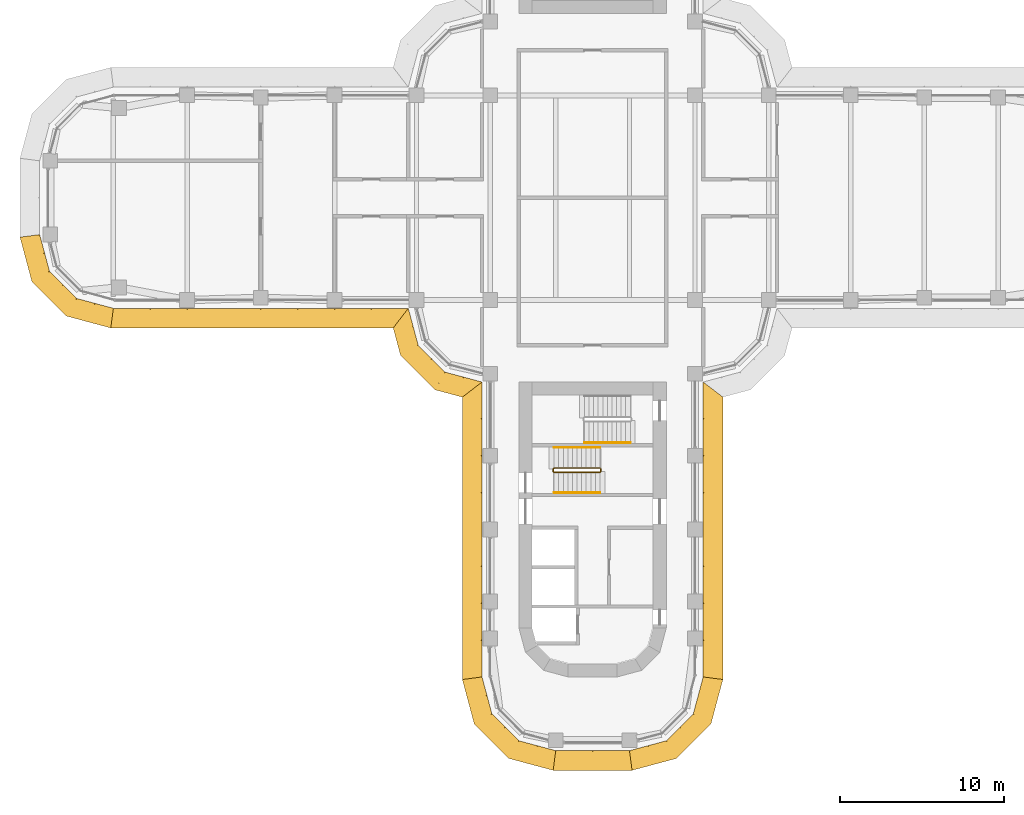
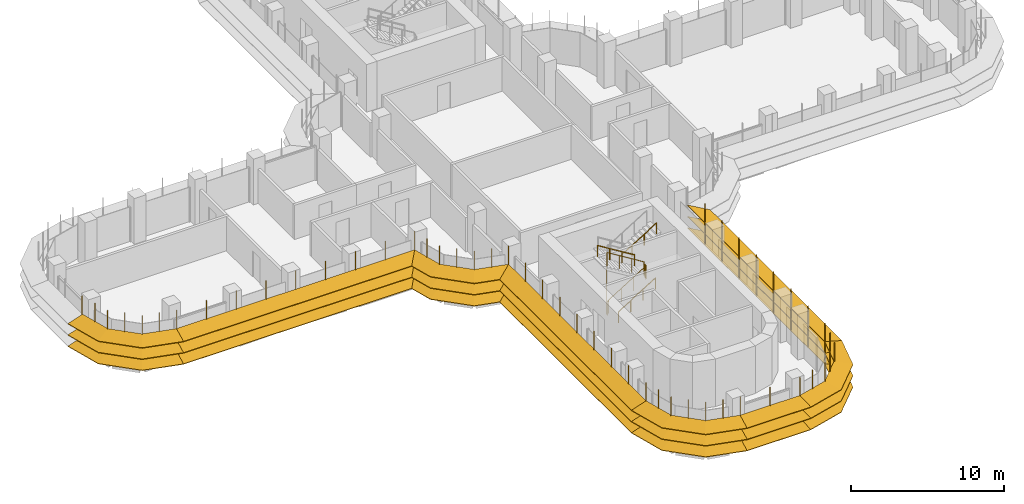
# One storey, part 18 of 21: 8 shading devices, 4 railings.
"""IFC4 building model written with IfcOpenShell, lengths in metres."""

from ifc_helpers import new_model, si_unit, direction, frame, origin, origin_2d, place, context, subcontext, project, spatial, polyline, circle, outline, extrude, faceted_brep, source, transform, mapped, material, type_object, element, save


model = new_model("IFC4")

# Units and contexts
model_context = context("Model", 3, precision=1e-05, world=origin(), true_north=direction((0.0, 1.0)))
body_context = subcontext(model_context, "Body", "Model", "MODEL_VIEW")
ifc_project = project(units=[si_unit("LENGTHUNIT", "METRE"), si_unit("AREAUNIT", "SQUARE_METRE"), si_unit("VOLUMEUNIT", "CUBIC_METRE"), si_unit("PLANEANGLEUNIT", "RADIAN"), si_unit("MASSUNIT", "GRAM", prefix="KILO")], contexts=[model_context])

# Site, building, storey
site_placement = place(None, origin())
site = spatial("IfcSite", under=ifc_project, at=site_placement, CompositionType="ELEMENT")
building_placement = place(site_placement, origin())
building = spatial("IfcBuilding", under=site, at=building_placement, Name="Zarbagh Exchange Tower", CompositionType="ELEMENT")
storey_placement = place(building_placement, frame((0.0, 0.0, 117.0)))
storey = spatial("IfcBuildingStorey", under=building, at=storey_placement, Name="L27", CompositionType="ELEMENT", Elevation=117.0)

# Railings
ifc_material_1 = material(Name="Stainless steel", Category="steel")
railing_type_1 = type_object("IfcRailingType", Name="Stair guard 1100 mm", PredefinedType="GUARDRAIL", material=ifc_material_1)
railing_1_placement = place(storey_placement, frame((0.449951171875, -16.5, 2.07275390625)))
element("IfcRailing", 1, at=railing_1_placement, inside=storey, type_object=railing_type_1, Name="ST3 stair guard 1", PredefinedType="GUARDRAIL", context=body_context, shape_type="SweptSolid", body=[
    extrude(circle(Radius=0.02392578125, at=origin_2d()), frame((0.0, 0.0, 1.076171875), z_axis=(-0.851089632645, 0.0, 0.525020415988), x_axis=(0.0, -1.0, 0.0)), (0.0, 0.0, 1.0), 3.2900390625),
    extrude(circle(Radius=0.02392578125, at=origin_2d()), frame((-2.800048828125, 0.0, 2.80322265625), z_axis=(-0.013104066473, -0.013168302093, -0.99982742474), x_axis=(0.708833529934, -0.705375805398, 0.0)), (0.0, 0.0, 1.0), 3.80078125),
    extrude(circle(Radius=0.02392578125, at=origin_2d()), frame((-2.849853515625, -0.050048828125, -0.99658203125), z_axis=(0.0, -1.0, 0.0), x_axis=(1.0, 0.0, 0.0)), (0.0, 0.0, 1.0), 0.14990234375),
    extrude(circle(Radius=0.02392578125, at=origin_2d()), frame((-2.849853515625, -0.199951171875, -0.99658203125), z_axis=(0.267062837333, -0.268371968888, 0.925556009775), x_axis=(0.708833529934, 0.705375805398, 0.0)), (0.0, 0.0, 1.0), 0.1865234375),
    extrude(circle(Radius=0.02392578125, at=origin_2d()), frame((-2.800048828125, -0.25, -0.82421875), z_axis=(0.851089632645, 0.0, 0.525020415988), x_axis=(0.0, 1.0, 0.0)), (0.0, 0.0, 1.0), 3.2900390625),
    extrude(circle(Radius=0.02392578125, at=origin_2d()), frame((0.0, -0.25, 0.9033203125), z_axis=(0.707106781187, 0.707106781187, 0.0), x_axis=(-0.707106781187, 0.707106781187, 0.0)), (0.0, 0.0, 1.0), 0.07080078125),
    extrude(circle(Radius=0.02392578125, at=origin_2d()), frame((0.050048828125, -0.199951171875, 0.9033203125), z_axis=(0.0, 1.0, 0.0), x_axis=(-1.0, 0.0, 0.0)), (0.0, 0.0, 1.0), 0.14990234375),
    extrude(circle(Radius=0.02099609375, at=origin_2d()), origin(), (0.0, 0.0, 1.0), 1.052001953125),
    extrude(circle(Radius=0.02099609375, at=origin_2d()), frame((-0.933349609375, 0.0, 0.57568359375)), (0.0, 0.0, 1.0), 1.052001953125),
    extrude(circle(Radius=0.02099609375, at=origin_2d()), frame((-1.86669921875, 0.0, 1.151611328125)), (0.0, 0.0, 1.0), 1.052001953125),
    extrude(circle(Radius=0.02099609375, at=origin_2d()), frame((-2.800048828125, 0.0, 1.727294921875)), (0.0, 0.0, 1.0), 1.052001953125),
    extrude(circle(Radius=0.02099609375, at=origin_2d()), frame((-2.8125, -0.012451171875, 0.77734375)), (0.0, 0.0, 1.0), 1.052001953125),
    extrude(circle(Radius=0.02099609375, at=origin_2d()), frame((-2.824951171875, -0.02490234375, -0.1728515625)), (0.0, 0.0, 1.0), 1.052001953125),
    extrude(circle(Radius=0.02099609375, at=origin_2d()), frame((-2.83740234375, -0.03759765625, -1.122802734375)), (0.0, 0.0, 1.0), 1.052001953125),
    extrude(circle(Radius=0.02099609375, at=origin_2d()), frame((-2.849853515625, -0.050048828125, -2.07275390625)), (0.0, 0.0, 1.0), 1.052001953125),
    extrude(circle(Radius=0.02099609375, at=origin_2d()), frame((-2.849853515625, -0.199951171875, -2.07275390625)), (0.0, 0.0, 1.0), 1.052001953125),
    extrude(circle(Radius=0.02099609375, at=origin_2d()), frame((-2.800048828125, -0.25, -1.900146484375)), (0.0, 0.0, 1.0), 1.052001953125),
    extrude(circle(Radius=0.02099609375, at=origin_2d()), frame((-1.86669921875, -0.25, -1.324462890625)), (0.0, 0.0, 1.0), 1.052001953125),
    extrude(circle(Radius=0.02099609375, at=origin_2d()), frame((-0.933349609375, -0.25, -0.74853515625)), (0.0, 0.0, 1.0), 1.052001953125),
    extrude(circle(Radius=0.02099609375, at=origin_2d()), frame((0.0, -0.25, -0.1728515625)), (0.0, 0.0, 1.0), 1.052001953125),
    extrude(circle(Radius=0.02099609375, at=origin_2d()), frame((0.050048828125, -0.199951171875, -0.1728515625)), (0.0, 0.0, 1.0), 1.052001953125),
    extrude(circle(Radius=0.02099609375, at=origin_2d()), frame((0.050048828125, -0.050048828125, -0.1728515625)), (0.0, 0.0, 1.0), 1.052001953125),
])
railing_type_2 = type_object("IfcRailingType", Name="Stair handrail 900 mm", PredefinedType="HANDRAIL", material=ifc_material_1)
railing_2_placement = place(storey_placement, frame((-2.35009765625, -18.0, 0.172607421875)))
element("IfcRailing", 2, at=railing_2_placement, inside=storey, type_object=railing_type_2, Name="ST3 stair handrail 1", PredefinedType="HANDRAIL", context=body_context, shape_type="SweptSolid", body=[
    extrude(circle(Radius=0.02392578125, at=origin_2d()), frame((0.0, 0.0, 0.8759765625), z_axis=(0.851089632645, 0.0, 0.525020415988), x_axis=(0.0, 1.0, 0.0)), (0.0, 0.0, 1.0), 3.2900390625),
    extrude(circle(Radius=0.02099609375, at=origin_2d()), origin(), (0.0, 0.0, 1.0), 0.851806640625),
    extrude(circle(Radius=0.02099609375, at=origin_2d()), frame((0.933349609375, 0.0, 0.57568359375)), (0.0, 0.0, 1.0), 0.851806640625),
    extrude(circle(Radius=0.02099609375, at=origin_2d()), frame((1.86669921875, 0.0, 1.151611328125)), (0.0, 0.0, 1.0), 0.851806640625),
    extrude(circle(Radius=0.02099609375, at=origin_2d()), frame((2.800048828125, 0.0, 1.727294921875)), (0.0, 0.0, 1.0), 0.851806640625),
])
railing_3_placement = place(storey_placement, frame((0.449951171875, -15.25, 2.07275390625)))
element("IfcRailing", 3, at=railing_3_placement, inside=storey, type_object=railing_type_2, Name="ST3 stair handrail 2", PredefinedType="HANDRAIL", context=body_context, shape_type="SweptSolid", body=[
    extrude(circle(Radius=0.02392578125, at=origin_2d()), frame((0.0, 0.0, 0.8759765625), z_axis=(-0.851089632645, 0.0, 0.525020415988), x_axis=(0.0, -1.0, 0.0)), (0.0, 0.0, 1.0), 3.2900390625),
    extrude(circle(Radius=0.02099609375, at=origin_2d()), origin(), (0.0, 0.0, 1.0), 0.851806640625),
    extrude(circle(Radius=0.02099609375, at=origin_2d()), frame((-0.933349609375, 0.0, 0.57568359375)), (0.0, 0.0, 1.0), 0.851806640625),
    extrude(circle(Radius=0.02099609375, at=origin_2d()), frame((-1.86669921875, 0.0, 1.151611328125)), (0.0, 0.0, 1.0), 0.851806640625),
    extrude(circle(Radius=0.02099609375, at=origin_2d()), frame((-2.800048828125, 0.0, 1.727294921875)), (0.0, 0.0, 1.0), 0.851806640625),
])
railing_4_placement = place(storey_placement, frame((-0.5, -14.949951171875, 2.07275390625)))
element("IfcRailing", 4, at=railing_4_placement, inside=storey, type_object=railing_type_2, Name="ST4 stair handrail 2", PredefinedType="HANDRAIL", context=body_context, shape_type="SweptSolid", body=[
    extrude(circle(Radius=0.02392578125, at=origin_2d()), frame((0.0, 0.0, 0.8759765625), z_axis=(0.851089632645, 0.0, 0.525020415988), x_axis=(0.0, 1.0, 0.0)), (0.0, 0.0, 1.0), 3.2900390625),
    extrude(circle(Radius=0.02099609375, at=origin_2d()), origin(), (0.0, 0.0, 1.0), 0.851806640625),
    extrude(circle(Radius=0.02099609375, at=origin_2d()), frame((0.933349609375, 0.0, 0.57568359375)), (0.0, 0.0, 1.0), 0.851806640625),
    extrude(circle(Radius=0.02099609375, at=origin_2d()), frame((1.86669921875, 0.0, 1.151611328125)), (0.0, 0.0, 1.0), 0.851806640625),
    extrude(circle(Radius=0.02099609375, at=origin_2d()), frame((2.800048828125, 0.0, 1.727294921875)), (0.0, 0.0, 1.0), 0.851806640625),
])

# Shading devices
ifc_material_2 = material(Name="Anodised aluminium blades and brackets", Category="aluminium")
shading_device_type = type_object("IfcShadingDeviceType", Name="SUNSHADE louvre band, 11.25 degree blades", PredefinedType="JALOUSIE", material=ifc_material_2)
shared_shape_1 = source(origin(), body_context, "Body", "Brep", [
    faceted_brep([(0.0, 0.0, 0.0), (0.0, 0.0, -0.040771484375), (-0.157958984375, -1.199951171875, -0.279541015625), (-0.157958984375, -1.199951171875, -0.23876953125), (2.65087890625, -1.199951171875, -0.23876953125), (2.65087890625, -1.199951171875, -0.279541015625), (2.329345703125, 0.0, -0.040771484375), (2.329345703125, 0.0, 0.0)], [[[0, 1, 2, 3]], [[4, 5, 6, 7]], [[0, 7, 6, 1]], [[1, 6, 5, 2]], [[2, 5, 4, 3]], [[3, 4, 7, 0]]]),
])
shared_shape_2 = source(origin(), body_context, "Body", "Brep", [
    faceted_brep([(0.0, 0.0, 0.0), (0.0, 0.0, -0.040771484375), (-0.321533203125, -1.199951171875, -0.279541015625), (-0.321533203125, -1.199951171875, -0.23876953125), (2.65087890625, -1.199951171875, -0.23876953125), (2.65087890625, -1.199951171875, -0.279541015625), (2.329345703125, 0.0, -0.040771484375), (2.329345703125, 0.0, 0.0)], [[[0, 1, 2, 3]], [[4, 5, 6, 7]], [[0, 7, 6, 1]], [[1, 6, 5, 2]], [[2, 5, 4, 3]], [[3, 4, 7, 0]]]),
])
shared_shape_3 = source(origin(), body_context, "Body", "Brep", [
    faceted_brep([(0.0, 0.0, 0.0), (0.0, 0.0, -0.040771484375), (-0.321533203125, -1.199951171875, -0.279541015625), (-0.321533203125, -1.199951171875, -0.23876953125), (2.4873046875, -1.199951171875, -0.23876953125), (2.4873046875, -1.199951171875, -0.279541015625), (2.329345703125, 0.0, -0.040771484375), (2.329345703125, 0.0, 0.0)], [[[0, 1, 2, 3]], [[4, 5, 6, 7]], [[0, 7, 6, 1]], [[1, 6, 5, 2]], [[2, 5, 4, 3]], [[3, 4, 7, 0]]]),
])
shared_shape_4 = source(origin(), body_context, "Body", "SweptSolid", [
    extrude(outline(polyline([(0.0, -0.012451171875), (0.06005859375, -0.012451171875), (0.06005859375, 0.012451171875), (0.0, 0.012451171875), (0.0, -0.012451171875)])), origin(), (0.0, 0.0, 1.0), 3.350830078125),
])
placement = place(storey_placement, origin())
element("IfcShadingDevice", 5, at=placement, inside=storey, type_object=shading_device_type, Name="SS01 sunshade band", PredefinedType="JALOUSIE", context=body_context, shape_type="MappedRepresentation", body=[
    mapped(shared_shape_1, transform((2.25, -33.75, 2.300048828125), x_axis=(0.965924289636, 0.258824779902, 0.0), y_axis=(-0.258824779902, 0.965924289636, 0.0), z_axis=(0.0, 0.0, 1.0))),
    mapped(shared_shape_1, transform((2.25, -33.75, 1.39990234375), x_axis=(0.965924289636, 0.258824779902, 0.0), y_axis=(-0.258824779902, 0.965924289636, 0.0), z_axis=(0.0, 0.0, 1.0))),
    mapped(shared_shape_1, transform((2.25, -33.75, 0.5), x_axis=(0.965924289636, 0.258824779902, 0.0), y_axis=(-0.258824779902, 0.965924289636, 0.0), z_axis=(0.0, 0.0, 1.0))),
    mapped(shared_shape_2, transform((4.5, -33.147216796875, 2.300048828125), x_axis=(0.707106781187, 0.707106781187, 0.0), y_axis=(-0.707106781187, 0.707106781187, 0.0), z_axis=(0.0, 0.0, 1.0))),
    mapped(shared_shape_2, transform((4.5, -33.147216796875, 1.39990234375), x_axis=(0.707106781187, 0.707106781187, 0.0), y_axis=(-0.707106781187, 0.707106781187, 0.0), z_axis=(0.0, 0.0, 1.0))),
    mapped(shared_shape_2, transform((4.5, -33.147216796875, 0.5), x_axis=(0.707106781187, 0.707106781187, 0.0), y_axis=(-0.707106781187, 0.707106781187, 0.0), z_axis=(0.0, 0.0, 1.0))),
    mapped(shared_shape_3, transform((6.147216796875, -31.5, 2.300048828125), x_axis=(0.258824779902, 0.965924289636, 0.0), y_axis=(-0.965924289636, 0.258824779902, 0.0), z_axis=(0.0, 0.0, 1.0))),
    mapped(shared_shape_3, transform((6.147216796875, -31.5, 1.39990234375), x_axis=(0.258824779902, 0.965924289636, 0.0), y_axis=(-0.965924289636, 0.258824779902, 0.0), z_axis=(0.0, 0.0, 1.0))),
    mapped(shared_shape_3, transform((6.147216796875, -31.5, 0.5), x_axis=(0.258824779902, 0.965924289636, 0.0), y_axis=(-0.965924289636, 0.258824779902, 0.0), z_axis=(0.0, 0.0, 1.0))),
    mapped(shared_shape_4, transform((2.25, -33.75, 0.42919921875), x_axis=(0.130529263012, -0.991444457092, 0.0), y_axis=(0.991444457092, 0.130529263012, 0.0), z_axis=(0.0, 0.0, 1.0))),
    mapped(shared_shape_4, transform((3.375, -33.448486328125, 0.42919921875), x_axis=(0.258825058029, -0.96592421511, 0.0), y_axis=(0.96592421511, 0.258825058029, 0.0), z_axis=(0.0, 0.0, 1.0))),
    mapped(shared_shape_4, transform((4.5, -33.147216796875, 0.42919921875), x_axis=(0.50000275701, -0.866023812018, 0.0), y_axis=(0.866023812018, 0.50000275701, 0.0), z_axis=(0.0, 0.0, 1.0))),
    mapped(shared_shape_4, transform((5.323486328125, -32.323486328125, 0.42919921875), x_axis=(0.707106781187, -0.707106781187, 0.0), y_axis=(0.707106781187, 0.707106781187, 0.0), z_axis=(0.0, 0.0, 1.0))),
    mapped(shared_shape_4, transform((6.147216796875, -31.5, 0.42919921875), x_axis=(0.866023812018, -0.50000275701, 0.0), y_axis=(0.50000275701, 0.866023812018, 0.0), z_axis=(0.0, 0.0, 1.0))),
    mapped(shared_shape_4, transform((6.448486328125, -30.375, 0.42919921875), x_axis=(0.96592421511, -0.258825058029, 0.0), y_axis=(0.258825058029, 0.96592421511, 0.0), z_axis=(0.0, 0.0, 1.0))),
])
element("IfcShadingDevice", 6, at=placement, inside=storey, type_object=shading_device_type, Name="SS19 sunshade band", PredefinedType="JALOUSIE", context=body_context, shape_type="MappedRepresentation", body=[
    mapped(shared_shape_1, transform((-33.75, -2.25, 2.300048828125), x_axis=(0.258824779902, -0.965924289636, 0.0), y_axis=(0.965924289636, 0.258824779902, 0.0), z_axis=(0.0, 0.0, 1.0))),
    mapped(shared_shape_1, transform((-33.75, -2.25, 1.39990234375), x_axis=(0.258824779902, -0.965924289636, 0.0), y_axis=(0.965924289636, 0.258824779902, 0.0), z_axis=(0.0, 0.0, 1.0))),
    mapped(shared_shape_1, transform((-33.75, -2.25, 0.5), x_axis=(0.258824779902, -0.965924289636, 0.0), y_axis=(0.965924289636, 0.258824779902, 0.0), z_axis=(0.0, 0.0, 1.0))),
    mapped(shared_shape_2, transform((-33.147216796875, -4.5, 2.300048828125), x_axis=(0.707106781187, -0.707106781187, 0.0), y_axis=(0.707106781187, 0.707106781187, 0.0), z_axis=(0.0, 0.0, 1.0))),
    mapped(shared_shape_2, transform((-33.147216796875, -4.5, 1.39990234375), x_axis=(0.707106781187, -0.707106781187, 0.0), y_axis=(0.707106781187, 0.707106781187, 0.0), z_axis=(0.0, 0.0, 1.0))),
    mapped(shared_shape_2, transform((-33.147216796875, -4.5, 0.5), x_axis=(0.707106781187, -0.707106781187, 0.0), y_axis=(0.707106781187, 0.707106781187, 0.0), z_axis=(0.0, 0.0, 1.0))),
    mapped(shared_shape_3, transform((-31.5, -6.147216796875, 2.300048828125), x_axis=(0.965924289636, -0.258824779902, 0.0), y_axis=(0.258824779902, 0.965924289636, 0.0), z_axis=(0.0, 0.0, 1.0))),
    mapped(shared_shape_3, transform((-31.5, -6.147216796875, 1.39990234375), x_axis=(0.965924289636, -0.258824779902, 0.0), y_axis=(0.258824779902, 0.965924289636, 0.0), z_axis=(0.0, 0.0, 1.0))),
    mapped(shared_shape_3, transform((-31.5, -6.147216796875, 0.5), x_axis=(0.965924289636, -0.258824779902, 0.0), y_axis=(0.258824779902, 0.965924289636, 0.0), z_axis=(0.0, 0.0, 1.0))),
    mapped(shared_shape_4, transform((-33.75, -2.25, 0.42919921875), x_axis=(-0.991444457092, -0.130529263012, 0.0), y_axis=(0.130529263012, -0.991444457092, 0.0), z_axis=(0.0, 0.0, 1.0))),
    mapped(shared_shape_4, transform((-33.448486328125, -3.375, 0.42919921875), x_axis=(-0.96592421511, -0.258825058029, 0.0), y_axis=(0.258825058029, -0.96592421511, 0.0), z_axis=(0.0, 0.0, 1.0))),
    mapped(shared_shape_4, transform((-33.147216796875, -4.5, 0.42919921875), x_axis=(-0.866023812018, -0.50000275701, 0.0), y_axis=(0.50000275701, -0.866023812018, 0.0), z_axis=(0.0, 0.0, 1.0))),
    mapped(shared_shape_4, transform((-32.323486328125, -5.323486328125, 0.42919921875), x_axis=(-0.707106781187, -0.707106781187, 0.0), y_axis=(0.707106781187, -0.707106781187, 0.0), z_axis=(0.0, 0.0, 1.0))),
    mapped(shared_shape_4, transform((-31.5, -6.147216796875, 0.42919921875), x_axis=(-0.50000275701, -0.866023812018, 0.0), y_axis=(0.866023812018, -0.50000275701, 0.0), z_axis=(0.0, 0.0, 1.0))),
    mapped(shared_shape_4, transform((-30.375, -6.448486328125, 0.42919921875), x_axis=(-0.258825058029, -0.96592421511, 0.0), y_axis=(0.96592421511, -0.258825058029, 0.0), z_axis=(0.0, 0.0, 1.0))),
])
element("IfcShadingDevice", 7, at=placement, inside=storey, type_object=shading_device_type, Name="SS23 sunshade band", PredefinedType="JALOUSIE", context=body_context, shape_type="MappedRepresentation", body=[
    mapped(shared_shape_1, transform((-6.75, -29.25, 2.300048828125), x_axis=(0.258824779902, -0.965924289636, 0.0), y_axis=(0.965924289636, 0.258824779902, 0.0), z_axis=(0.0, 0.0, 1.0))),
    mapped(shared_shape_1, transform((-6.75, -29.25, 1.39990234375), x_axis=(0.258824779902, -0.965924289636, 0.0), y_axis=(0.965924289636, 0.258824779902, 0.0), z_axis=(0.0, 0.0, 1.0))),
    mapped(shared_shape_1, transform((-6.75, -29.25, 0.5), x_axis=(0.258824779902, -0.965924289636, 0.0), y_axis=(0.965924289636, 0.258824779902, 0.0), z_axis=(0.0, 0.0, 1.0))),
    mapped(shared_shape_2, transform((-6.147216796875, -31.5, 2.300048828125), x_axis=(0.707106781187, -0.707106781187, 0.0), y_axis=(0.707106781187, 0.707106781187, 0.0), z_axis=(0.0, 0.0, 1.0))),
    mapped(shared_shape_2, transform((-6.147216796875, -31.5, 1.39990234375), x_axis=(0.707106781187, -0.707106781187, 0.0), y_axis=(0.707106781187, 0.707106781187, 0.0), z_axis=(0.0, 0.0, 1.0))),
    mapped(shared_shape_2, transform((-6.147216796875, -31.5, 0.5), x_axis=(0.707106781187, -0.707106781187, 0.0), y_axis=(0.707106781187, 0.707106781187, 0.0), z_axis=(0.0, 0.0, 1.0))),
    mapped(shared_shape_3, transform((-4.5, -33.147216796875, 2.300048828125), x_axis=(0.965924289636, -0.258824779902, 0.0), y_axis=(0.258824779902, 0.965924289636, 0.0), z_axis=(0.0, 0.0, 1.0))),
    mapped(shared_shape_3, transform((-4.5, -33.147216796875, 1.39990234375), x_axis=(0.965924289636, -0.258824779902, 0.0), y_axis=(0.258824779902, 0.965924289636, 0.0), z_axis=(0.0, 0.0, 1.0))),
    mapped(shared_shape_3, transform((-4.5, -33.147216796875, 0.5), x_axis=(0.965924289636, -0.258824779902, 0.0), y_axis=(0.258824779902, 0.965924289636, 0.0), z_axis=(0.0, 0.0, 1.0))),
    mapped(shared_shape_4, transform((-6.75, -29.25, 0.42919921875), x_axis=(-0.991444457092, -0.130529263012, 0.0), y_axis=(0.130529263012, -0.991444457092, 0.0), z_axis=(0.0, 0.0, 1.0))),
    mapped(shared_shape_4, transform((-6.448486328125, -30.375, 0.42919921875), x_axis=(-0.96592421511, -0.258825058029, 0.0), y_axis=(0.258825058029, -0.96592421511, 0.0), z_axis=(0.0, 0.0, 1.0))),
    mapped(shared_shape_4, transform((-6.147216796875, -31.5, 0.42919921875), x_axis=(-0.866023812018, -0.50000275701, 0.0), y_axis=(0.50000275701, -0.866023812018, 0.0), z_axis=(0.0, 0.0, 1.0))),
    mapped(shared_shape_4, transform((-5.323486328125, -32.323486328125, 0.42919921875), x_axis=(-0.707106781187, -0.707106781187, 0.0), y_axis=(0.707106781187, -0.707106781187, 0.0), z_axis=(0.0, 0.0, 1.0))),
    mapped(shared_shape_4, transform((-4.5, -33.147216796875, 0.42919921875), x_axis=(-0.50000275701, -0.866023812018, 0.0), y_axis=(0.866023812018, -0.50000275701, 0.0), z_axis=(0.0, 0.0, 1.0))),
    mapped(shared_shape_4, transform((-3.375, -33.448486328125, 0.42919921875), x_axis=(-0.258825058029, -0.96592421511, 0.0), y_axis=(0.96592421511, -0.258825058029, 0.0), z_axis=(0.0, 0.0, 1.0))),
])
shared_shape_5 = source(origin(), body_context, "Body", "Brep", [
    faceted_brep([(0.0, 0.0, 0.0), (0.0, 0.0, -0.040771484375), (0.9208984375, -1.199951171875, -0.279541015625), (0.9208984375, -1.199951171875, -0.23876953125), (2.65087890625, -1.199951171875, -0.23876953125), (2.65087890625, -1.199951171875, -0.279541015625), (2.329345703125, 0.0, -0.040771484375), (2.329345703125, 0.0, 0.0)], [[[0, 1, 2, 3]], [[4, 5, 6, 7]], [[0, 7, 6, 1]], [[1, 6, 5, 2]], [[2, 5, 4, 3]], [[3, 4, 7, 0]]]),
])
shared_shape_6 = source(origin(), body_context, "Body", "Brep", [
    faceted_brep([(0.0, 0.0, 0.0), (0.0, 0.0, -0.040771484375), (-0.321533203125, -1.199951171875, -0.279541015625), (-0.321533203125, -1.199951171875, -0.23876953125), (1.40869140625, -1.199951171875, -0.23876953125), (1.40869140625, -1.199951171875, -0.279541015625), (2.329345703125, 0.0, -0.040771484375), (2.329345703125, 0.0, 0.0)], [[[0, 1, 2, 3]], [[4, 5, 6, 7]], [[0, 7, 6, 1]], [[1, 6, 5, 2]], [[2, 5, 4, 3]], [[3, 4, 7, 0]]]),
])
element("IfcShadingDevice", 8, at=placement, inside=storey, type_object=shading_device_type, Name="SS21 sunshade band", PredefinedType="JALOUSIE", context=body_context, shape_type="MappedRepresentation", body=[
    mapped(shared_shape_5, transform((-11.25, -6.75, 2.300048828125), x_axis=(0.258824779902, -0.965924289636, 0.0), y_axis=(0.965924289636, 0.258824779902, 0.0), z_axis=(0.0, 0.0, 1.0))),
    mapped(shared_shape_5, transform((-11.25, -6.75, 1.39990234375), x_axis=(0.258824779902, -0.965924289636, 0.0), y_axis=(0.965924289636, 0.258824779902, 0.0), z_axis=(0.0, 0.0, 1.0))),
    mapped(shared_shape_5, transform((-11.25, -6.75, 0.5), x_axis=(0.258824779902, -0.965924289636, 0.0), y_axis=(0.965924289636, 0.258824779902, 0.0), z_axis=(0.0, 0.0, 1.0))),
    mapped(shared_shape_2, transform((-10.647216796875, -9.0, 2.300048828125), x_axis=(0.707106781187, -0.707106781187, 0.0), y_axis=(0.707106781187, 0.707106781187, 0.0), z_axis=(0.0, 0.0, 1.0))),
    mapped(shared_shape_2, transform((-10.647216796875, -9.0, 1.39990234375), x_axis=(0.707106781187, -0.707106781187, 0.0), y_axis=(0.707106781187, 0.707106781187, 0.0), z_axis=(0.0, 0.0, 1.0))),
    mapped(shared_shape_2, transform((-10.647216796875, -9.0, 0.5), x_axis=(0.707106781187, -0.707106781187, 0.0), y_axis=(0.707106781187, 0.707106781187, 0.0), z_axis=(0.0, 0.0, 1.0))),
    mapped(shared_shape_6, transform((-9.0, -10.647216796875, 2.300048828125), x_axis=(0.965924289636, -0.258824779902, 0.0), y_axis=(0.258824779902, 0.965924289636, 0.0), z_axis=(0.0, 0.0, 1.0))),
    mapped(shared_shape_6, transform((-9.0, -10.647216796875, 1.39990234375), x_axis=(0.965924289636, -0.258824779902, 0.0), y_axis=(0.258824779902, 0.965924289636, 0.0), z_axis=(0.0, 0.0, 1.0))),
    mapped(shared_shape_6, transform((-9.0, -10.647216796875, 0.5), x_axis=(0.965924289636, -0.258824779902, 0.0), y_axis=(0.258824779902, 0.965924289636, 0.0), z_axis=(0.0, 0.0, 1.0))),
    mapped(shared_shape_4, transform((-11.25, -6.75, 0.42919921875), x_axis=(-0.608758892, -0.793355287, 0.0), y_axis=(0.793355287, -0.608758892, 0.0), z_axis=(0.0, 0.0, 1.0))),
    mapped(shared_shape_4, transform((-10.948486328125, -7.875, 0.42919921875), x_axis=(-0.96592421511, -0.258825058029, 0.0), y_axis=(0.258825058029, -0.96592421511, 0.0), z_axis=(0.0, 0.0, 1.0))),
    mapped(shared_shape_4, transform((-10.647216796875, -9.0, 0.42919921875), x_axis=(-0.866023812018, -0.50000275701, 0.0), y_axis=(0.50000275701, -0.866023812018, 0.0), z_axis=(0.0, 0.0, 1.0))),
    mapped(shared_shape_4, transform((-9.823486328125, -9.823486328125, 0.42919921875), x_axis=(-0.707106781187, -0.707106781187, 0.0), y_axis=(0.707106781187, -0.707106781187, 0.0), z_axis=(0.0, 0.0, 1.0))),
    mapped(shared_shape_4, transform((-9.0, -10.647216796875, 0.42919921875), x_axis=(-0.50000275701, -0.866023812018, 0.0), y_axis=(0.866023812018, -0.50000275701, 0.0), z_axis=(0.0, 0.0, 1.0))),
    mapped(shared_shape_4, transform((-7.875, -10.948486328125, 0.42919921875), x_axis=(-0.258825058029, -0.96592421511, 0.0), y_axis=(0.96592421511, -0.258825058029, 0.0), z_axis=(0.0, 0.0, 1.0))),
])
shared_shape_7 = source(origin(), body_context, "Body", "Brep", [
    faceted_brep([(0.0, 0.0, 0.0), (0.0, 0.0, -0.040771484375), (-0.157958984375, -1.199951171875, -0.279541015625), (-0.157958984375, -1.199951171875, -0.23876953125), (17.0791015625, -1.199951171875, -0.23876953125), (17.0791015625, -1.199951171875, -0.279541015625), (18.0, 0.0, -0.040771484375), (18.0, 0.0, 0.0)], [[[0, 1, 2, 3]], [[4, 5, 6, 7]], [[0, 7, 6, 1]], [[1, 6, 5, 2]], [[2, 5, 4, 3]], [[3, 4, 7, 0]]]),
])
element("IfcShadingDevice", 9, at=placement, inside=storey, type_object=shading_device_type, Name="SS02 sunshade band", PredefinedType="JALOUSIE", context=body_context, shape_type="MappedRepresentation", body=[
    mapped(shared_shape_7, transform((6.75, -29.25, 2.300048828125), x_axis=(0.0, 1.0, 0.0), y_axis=(-1.0, 0.0, 0.0), z_axis=(0.0, 0.0, 1.0))),
    mapped(shared_shape_7, transform((6.75, -29.25, 1.39990234375), x_axis=(0.0, 1.0, 0.0), y_axis=(-1.0, 0.0, 0.0), z_axis=(0.0, 0.0, 1.0))),
    mapped(shared_shape_7, transform((6.75, -29.25, 0.5), x_axis=(0.0, 1.0, 0.0), y_axis=(-1.0, 0.0, 0.0), z_axis=(0.0, 0.0, 1.0))),
    mapped(shared_shape_4, transform((6.75, -29.25, 0.42919921875), x_axis=(0.991444457092, -0.130529263012, 0.0), y_axis=(0.130529263012, 0.991444457092, 0.0), z_axis=(0.0, 0.0, 1.0))),
    mapped(shared_shape_4, transform((6.75, -27.0, 0.42919921875), x_axis=(1.0, 0.0, 0.0), y_axis=(0.0, 1.0, 0.0), z_axis=(0.0, 0.0, 1.0))),
    mapped(shared_shape_4, transform((6.75, -24.75, 0.42919921875), x_axis=(1.0, 0.0, 0.0), y_axis=(0.0, 1.0, 0.0), z_axis=(0.0, 0.0, 1.0))),
    mapped(shared_shape_4, transform((6.75, -22.5, 0.42919921875), x_axis=(1.0, 0.0, 0.0), y_axis=(0.0, 1.0, 0.0), z_axis=(0.0, 0.0, 1.0))),
    mapped(shared_shape_4, transform((6.75, -20.25, 0.42919921875), x_axis=(1.0, 0.0, 0.0), y_axis=(0.0, 1.0, 0.0), z_axis=(0.0, 0.0, 1.0))),
    mapped(shared_shape_4, transform((6.75, -18.0, 0.42919921875), x_axis=(1.0, 0.0, 0.0), y_axis=(0.0, 1.0, 0.0), z_axis=(0.0, 0.0, 1.0))),
    mapped(shared_shape_4, transform((6.75, -15.75, 0.42919921875), x_axis=(1.0, 0.0, 0.0), y_axis=(0.0, 1.0, 0.0), z_axis=(0.0, 0.0, 1.0))),
    mapped(shared_shape_4, transform((6.75, -13.5, 0.42919921875), x_axis=(1.0, 0.0, 0.0), y_axis=(0.0, 1.0, 0.0), z_axis=(0.0, 0.0, 1.0))),
])
element("IfcShadingDevice", 10, at=placement, inside=storey, type_object=shading_device_type, Name="SS20 sunshade band", PredefinedType="JALOUSIE", context=body_context, shape_type="MappedRepresentation", body=[
    mapped(shared_shape_7, transform((-29.25, -6.75, 2.300048828125), x_axis=(1.0, 0.0, 0.0), y_axis=(0.0, 1.0, 0.0), z_axis=(0.0, 0.0, 1.0))),
    mapped(shared_shape_7, transform((-29.25, -6.75, 1.39990234375), x_axis=(1.0, 0.0, 0.0), y_axis=(0.0, 1.0, 0.0), z_axis=(0.0, 0.0, 1.0))),
    mapped(shared_shape_7, transform((-29.25, -6.75, 0.5), x_axis=(1.0, 0.0, 0.0), y_axis=(0.0, 1.0, 0.0), z_axis=(0.0, 0.0, 1.0))),
    mapped(shared_shape_4, transform((-29.25, -6.75, 0.42919921875), x_axis=(-0.130529263012, -0.991444457092, 0.0), y_axis=(0.991444457092, -0.130529263012, 0.0), z_axis=(0.0, 0.0, 1.0))),
    mapped(shared_shape_4, transform((-27.0, -6.75, 0.42919921875), x_axis=(0.0, -1.0, 0.0), y_axis=(1.0, 0.0, 0.0), z_axis=(0.0, 0.0, 1.0))),
    mapped(shared_shape_4, transform((-24.75, -6.75, 0.42919921875), x_axis=(0.0, -1.0, 0.0), y_axis=(1.0, 0.0, 0.0), z_axis=(0.0, 0.0, 1.0))),
    mapped(shared_shape_4, transform((-22.5, -6.75, 0.42919921875), x_axis=(0.0, -1.0, 0.0), y_axis=(1.0, 0.0, 0.0), z_axis=(0.0, 0.0, 1.0))),
    mapped(shared_shape_4, transform((-20.25, -6.75, 0.42919921875), x_axis=(0.0, -1.0, 0.0), y_axis=(1.0, 0.0, 0.0), z_axis=(0.0, 0.0, 1.0))),
    mapped(shared_shape_4, transform((-18.0, -6.75, 0.42919921875), x_axis=(0.0, -1.0, 0.0), y_axis=(1.0, 0.0, 0.0), z_axis=(0.0, 0.0, 1.0))),
    mapped(shared_shape_4, transform((-15.75, -6.75, 0.42919921875), x_axis=(0.0, -1.0, 0.0), y_axis=(1.0, 0.0, 0.0), z_axis=(0.0, 0.0, 1.0))),
    mapped(shared_shape_4, transform((-13.5, -6.75, 0.42919921875), x_axis=(0.0, -1.0, 0.0), y_axis=(1.0, 0.0, 0.0), z_axis=(0.0, 0.0, 1.0))),
])
shared_shape_8 = source(origin(), body_context, "Body", "Brep", [
    faceted_brep([(0.0, 0.0, 0.0), (0.0, 0.0, -0.040771484375), (0.9208984375, -1.199951171875, -0.279541015625), (0.9208984375, -1.199951171875, -0.23876953125), (18.157958984375, -1.199951171875, -0.23876953125), (18.157958984375, -1.199951171875, -0.279541015625), (18.0, 0.0, -0.040771484375), (18.0, 0.0, 0.0)], [[[0, 1, 2, 3]], [[4, 5, 6, 7]], [[0, 7, 6, 1]], [[1, 6, 5, 2]], [[2, 5, 4, 3]], [[3, 4, 7, 0]]]),
])
element("IfcShadingDevice", 11, at=placement, inside=storey, type_object=shading_device_type, Name="SS22 sunshade band", PredefinedType="JALOUSIE", context=body_context, shape_type="MappedRepresentation", body=[
    mapped(shared_shape_8, transform((-6.75, -11.25, 2.300048828125), x_axis=(0.0, -1.0, 0.0), y_axis=(1.0, 0.0, 0.0), z_axis=(0.0, 0.0, 1.0))),
    mapped(shared_shape_8, transform((-6.75, -11.25, 1.39990234375), x_axis=(0.0, -1.0, 0.0), y_axis=(1.0, 0.0, 0.0), z_axis=(0.0, 0.0, 1.0))),
    mapped(shared_shape_8, transform((-6.75, -11.25, 0.5), x_axis=(0.0, -1.0, 0.0), y_axis=(1.0, 0.0, 0.0), z_axis=(0.0, 0.0, 1.0))),
    mapped(shared_shape_4, transform((-6.75, -11.25, 0.42919921875), x_axis=(-0.793355287, -0.608758892, 0.0), y_axis=(0.608758892, -0.793355287, 0.0), z_axis=(0.0, 0.0, 1.0))),
    mapped(shared_shape_4, transform((-6.75, -13.5, 0.42919921875), x_axis=(-1.0, 0.0, 0.0), y_axis=(0.0, -1.0, 0.0), z_axis=(0.0, 0.0, 1.0))),
    mapped(shared_shape_4, transform((-6.75, -15.75, 0.42919921875), x_axis=(-1.0, 0.0, 0.0), y_axis=(0.0, -1.0, 0.0), z_axis=(0.0, 0.0, 1.0))),
    mapped(shared_shape_4, transform((-6.75, -18.0, 0.42919921875), x_axis=(-1.0, 0.0, 0.0), y_axis=(0.0, -1.0, 0.0), z_axis=(0.0, 0.0, 1.0))),
    mapped(shared_shape_4, transform((-6.75, -20.25, 0.42919921875), x_axis=(-1.0, 0.0, 0.0), y_axis=(0.0, -1.0, 0.0), z_axis=(0.0, 0.0, 1.0))),
    mapped(shared_shape_4, transform((-6.75, -22.5, 0.42919921875), x_axis=(-1.0, 0.0, 0.0), y_axis=(0.0, -1.0, 0.0), z_axis=(0.0, 0.0, 1.0))),
    mapped(shared_shape_4, transform((-6.75, -24.75, 0.42919921875), x_axis=(-1.0, 0.0, 0.0), y_axis=(0.0, -1.0, 0.0), z_axis=(0.0, 0.0, 1.0))),
    mapped(shared_shape_4, transform((-6.75, -27.0, 0.42919921875), x_axis=(-1.0, 0.0, 0.0), y_axis=(0.0, -1.0, 0.0), z_axis=(0.0, 0.0, 1.0))),
])
shared_shape_9 = source(origin(), body_context, "Body", "Brep", [
    faceted_brep([(0.0, 0.0, 0.0), (0.0, 0.0, -0.040771484375), (-0.157958984375, -1.199951171875, -0.279541015625), (-0.157958984375, -1.199951171875, -0.23876953125), (4.657958984375, -1.199951171875, -0.23876953125), (4.657958984375, -1.199951171875, -0.279541015625), (4.5, 0.0, -0.040771484375), (4.5, 0.0, 0.0)], [[[0, 1, 2, 3]], [[4, 5, 6, 7]], [[0, 7, 6, 1]], [[1, 6, 5, 2]], [[2, 5, 4, 3]], [[3, 4, 7, 0]]]),
])
element("IfcShadingDevice", 12, at=placement, inside=storey, type_object=shading_device_type, Name="SS24 sunshade band", PredefinedType="JALOUSIE", context=body_context, shape_type="MappedRepresentation", body=[
    mapped(shared_shape_9, transform((-2.25, -33.75, 2.300048828125), x_axis=(1.0, 0.0, 0.0), y_axis=(0.0, 1.0, 0.0), z_axis=(0.0, 0.0, 1.0))),
    mapped(shared_shape_9, transform((-2.25, -33.75, 1.39990234375), x_axis=(1.0, 0.0, 0.0), y_axis=(0.0, 1.0, 0.0), z_axis=(0.0, 0.0, 1.0))),
    mapped(shared_shape_9, transform((-2.25, -33.75, 0.5), x_axis=(1.0, 0.0, 0.0), y_axis=(0.0, 1.0, 0.0), z_axis=(0.0, 0.0, 1.0))),
    mapped(shared_shape_4, transform((-2.25, -33.75, 0.42919921875), x_axis=(-0.130529263012, -0.991444457092, 0.0), y_axis=(0.991444457092, -0.130529263012, 0.0), z_axis=(0.0, 0.0, 1.0))),
    mapped(shared_shape_4, transform((0.0, -33.75, 0.42919921875), x_axis=(0.0, -1.0, 0.0), y_axis=(1.0, 0.0, 0.0), z_axis=(0.0, 0.0, 1.0))),
])

save(model, "model.ifc")
